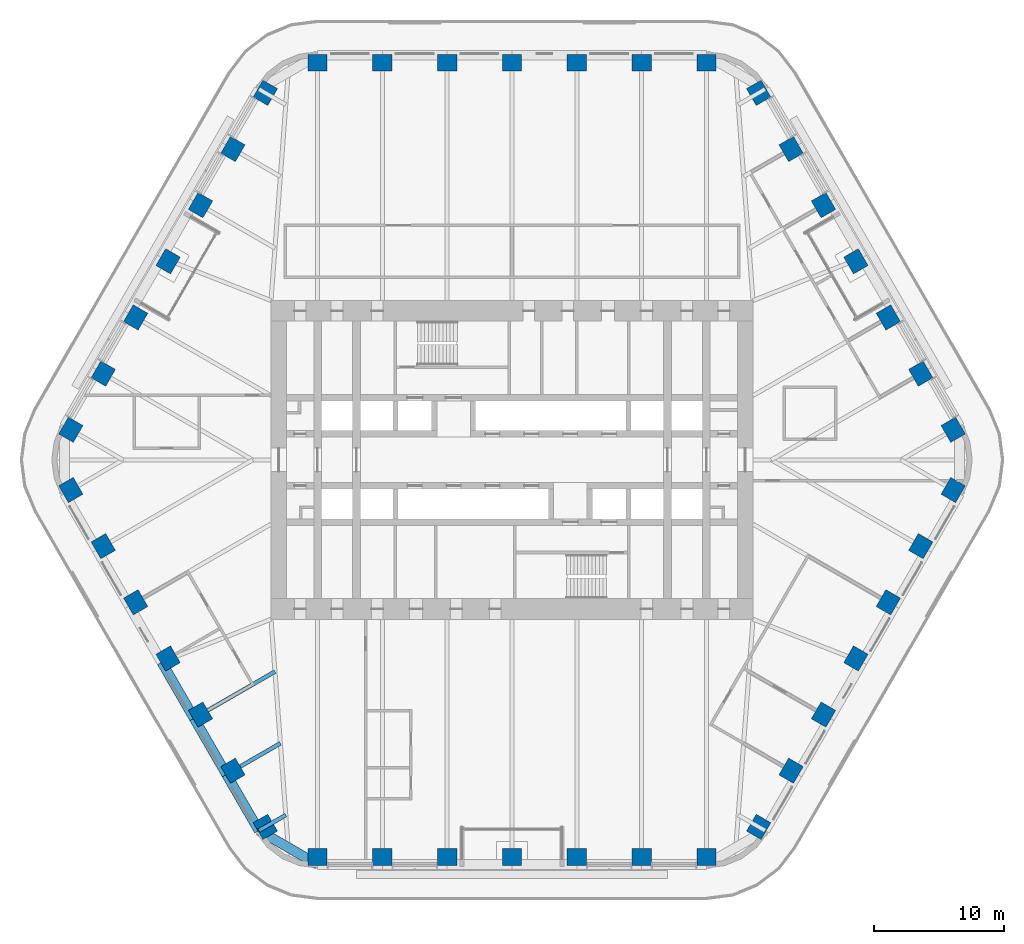
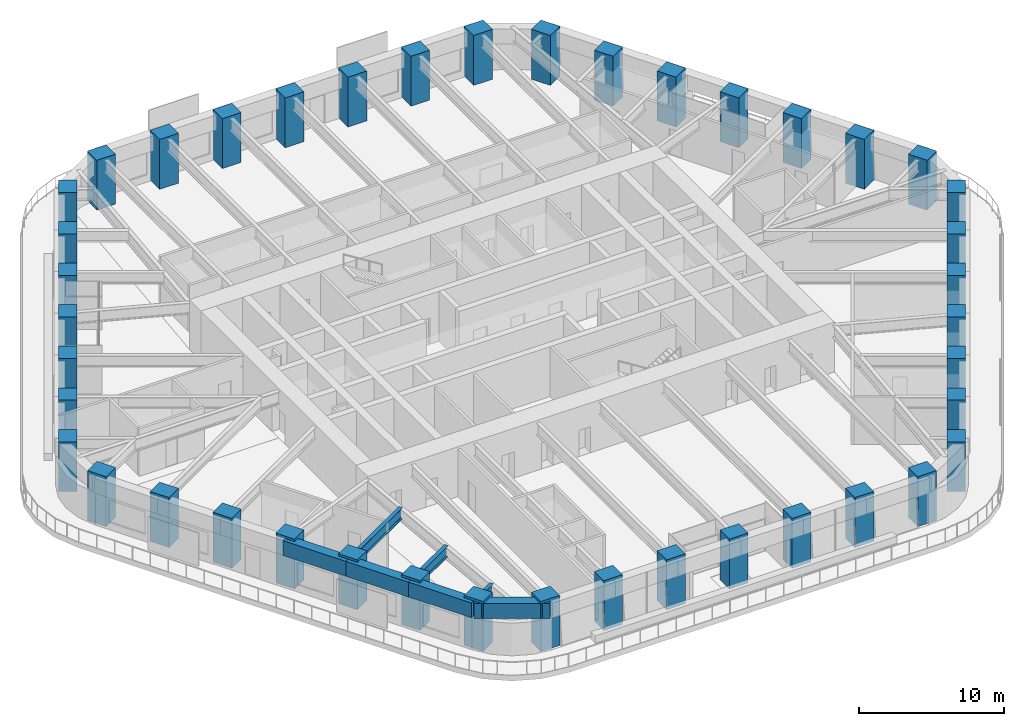
# One storey, part 1 of 24: 42 columns, 7 beams.
"""IFC4 building model written with IfcOpenShell, lengths in metres."""

from ifc_helpers import new_model, si_unit, direction, frame, origin, origin_2d, place, context, subcontext, project, spatial, rectangle, i_section, extrude, material, material_profile, profile_set, type_object, element, save


model = new_model("IFC4")

# Units and contexts
model_context = context("Model", 3, precision=1e-05, world=origin(), true_north=direction((0.0, 1.0)))
body_context = subcontext(model_context, "Body", "Model", "MODEL_VIEW")
ifc_project = project(units=[si_unit("LENGTHUNIT", "METRE"), si_unit("AREAUNIT", "SQUARE_METRE"), si_unit("VOLUMEUNIT", "CUBIC_METRE"), si_unit("PLANEANGLEUNIT", "RADIAN"), si_unit("MASSUNIT", "GRAM", prefix="KILO")], contexts=[model_context])

# Site, building, storey
site_placement = place(None, origin())
site = spatial("IfcSite", under=ifc_project, at=site_placement, CompositionType="ELEMENT")
building_placement = place(site_placement, origin())
building = spatial("IfcBuilding", under=site, at=building_placement, Name="Tarfa Lantern Tower", CompositionType="ELEMENT")
storey_placement = place(building_placement, frame((0.0, 0.0, 190.89990234375)))
storey = spatial("IfcBuildingStorey", under=building, at=storey_placement, Name="L43", CompositionType="ELEMENT", Elevation=190.89990234375)

# Columns
ifc_material_1 = material(Name="Concrete C80/95", Category="concrete")
ifc_material_profile_1 = material_profile(ifc_material_1, rectangle(XDim=1.5, YDim=1.300048828125, at=origin_2d()), Name="RC 1500x1300")
ifc_profile_set_1 = profile_set([ifc_material_profile_1], Name="Concrete C80/95")
column_type = type_object("IfcColumnType", Name="TC8 RC 1500x1300", PredefinedType="COLUMN", material=ifc_profile_set_1)
for number, where, z_axis, x_axis, name in (
    (1, (34.04931640625, 2.324951171875, 0.0), (0.0, 0.0, 1.0), (-0.5, 0.866025403784, 0.0), "Tube column NE0"),
    (2, (31.54736328125, 6.658447265625, 0.0), (0.0, 0.0, 1.0), (-0.5, 0.866025403784, 0.0), "Tube column NE1"),
    (3, (29.04541015625, 10.99169921875, 0.0), (0.0, 0.0, 1.0), (-0.5, 0.866025403784, 0.0), "Tube column NE2"),
    (4, (26.543701171875, 15.324951171875, 0.0), (0.0, 0.0, 1.0), (-0.5, 0.866025403784, 0.0), "Tube column NE3"),
    (5, (24.041748046875, 19.658447265625, 0.0), (0.0, 0.0, 1.0), (-0.5, 0.866025403784, 0.0), "Tube column NE4"),
    (6, (21.5400390625, 23.99169921875, 0.0), (0.0, 0.0, 1.0), (-0.5, 0.866025403784, 0.0), "Tube column NE5"),
    (7, (19.0380859375, 28.324951171875, 0.0), (0.0, 0.0, 1.0), (-0.5, 0.866025403784, 0.0), "Tube column NE6"),
    (8, (15.010986328125, 30.64990234375, 0.0), (0.0, 0.0, 1.0), (-1.0, 0.0, 0.0), "Tube column N0"),
    (9, (10.00732421875, 30.64990234375, 0.0), (0.0, 0.0, 1.0), (-1.0, 0.0, 0.0), "Tube column N1"),
    (10, (5.003662109375, 30.64990234375, 0.0), (0.0, 0.0, 1.0), (-1.0, 0.0, 0.0), "Tube column N2"),
    (11, (0.0, 30.64990234375, 0.0), (0.0, 0.0, 1.0), (-1.0, 0.0, 0.0), "Tube column N3"),
    (12, (-5.003662109375, 30.64990234375, 0.0), (0.0, 0.0, 1.0), (-1.0, 0.0, 0.0), "Tube column N4"),
    (13, (-10.00732421875, 30.64990234375, 0.0), (0.0, 0.0, 1.0), (-1.0, 0.0, 0.0), "Tube column N5"),
    (14, (-15.010986328125, 30.64990234375, 0.0), (0.0, 0.0, 1.0), (-1.0, 0.0, 0.0), "Tube column N6"),
    (15, (-19.0380859375, 28.324951171875, 0.0), (0.0, 0.0, 1.0), (-0.5, -0.866025403784, 0.0), "Tube column NW0"),
    (16, (-21.5400390625, 23.99169921875, 0.0), (0.0, 0.0, 1.0), (-0.5, -0.866025403784, 0.0), "Tube column NW1"),
    (17, (-24.041748046875, 19.658447265625, 0.0), (0.0, 0.0, 1.0), (-0.5, -0.866025403784, 0.0), "Tube column NW2"),
    (18, (-26.543701171875, 15.324951171875, 0.0), (0.0, 0.0, 1.0), (-0.5, -0.866025403784, 0.0), "Tube column NW3"),
    (19, (-29.04541015625, 10.99169921875, 0.0), (0.0, 0.0, 1.0), (-0.5, -0.866025403784, 0.0), "Tube column NW4"),
    (20, (-31.54736328125, 6.658447265625, 0.0), (0.0, 0.0, 1.0), (-0.5, -0.866025403784, 0.0), "Tube column NW5"),
    (21, (-34.04931640625, 2.324951171875, 0.0), (0.0, 0.0, 1.0), (-0.5, -0.866025403784, 0.0), "Tube column NW6"),
    (22, (-34.04931640625, -2.324951171875, 0.0), (0.0, 0.0, 1.0), (0.5, -0.866025403784, 0.0), "Tube column SW0"),
    (23, (-31.54736328125, -6.658447265625, 0.0), (0.0, 0.0, 1.0), (0.5, -0.866025403784, 0.0), "Tube column SW1"),
    (24, (-29.04541015625, -10.99169921875, 0.0), (0.0, 0.0, 1.0), (0.5, -0.866025403784, 0.0), "Tube column SW2"),
    (25, (-26.543701171875, -15.324951171875, 0.0), (0.0, 0.0, 1.0), (0.5, -0.866025403784, 0.0), "Tube column SW3"),
    (26, (-24.041748046875, -19.658447265625, 0.0), (0.0, 0.0, 1.0), (0.5, -0.866025403784, 0.0), "Tube column SW4"),
    (27, (-21.5400390625, -23.99169921875, 0.0), (0.0, 0.0, 1.0), (0.5, -0.866025403784, 0.0), "Tube column SW5"),
    (28, (-19.0380859375, -28.324951171875, 0.0), (0.0, 0.0, 1.0), (0.5, -0.866025403784, 0.0), "Tube column SW6"),
    (29, (-15.010986328125, -30.64990234375, 0.0), (0.0, 0.0, 1.0), (1.0, 0.0, 0.0), "Tube column S0"),
    (30, (-10.00732421875, -30.64990234375, 0.0), (0.0, 0.0, 1.0), (1.0, 0.0, 0.0), "Tube column S1"),
    (31, (-5.003662109375, -30.64990234375, 0.0), (0.0, 0.0, 1.0), (1.0, 0.0, 0.0), "Tube column S2"),
    (32, (0.0, -30.64990234375, 0.0), (0.0, 0.0, 1.0), (1.0, 0.0, 0.0), "Tube column S3"),
    (33, (5.003662109375, -30.64990234375, 0.0), (0.0, 0.0, 1.0), (1.0, 0.0, 0.0), "Tube column S4"),
    (34, (10.00732421875, -30.64990234375, 0.0), (0.0, 0.0, 1.0), (1.0, 0.0, 0.0), "Tube column S5"),
    (35, (15.010986328125, -30.64990234375, 0.0), (0.0, 0.0, 1.0), (1.0, 0.0, 0.0), "Tube column S6"),
    (36, (19.0380859375, -28.324951171875, 0.0), (0.0, 0.0, 1.0), (0.5, 0.866025403784, 0.0), "Tube column SE0"),
    (37, (21.5400390625, -23.99169921875, 0.0), (0.0, 0.0, 1.0), (0.5, 0.866025403784, 0.0), "Tube column SE1"),
    (38, (24.041748046875, -19.658447265625, 0.0), (0.0, 0.0, 1.0), (0.5, 0.866025403784, 0.0), "Tube column SE2"),
    (39, (26.543701171875, -15.324951171875, 0.0), (0.0, 0.0, 1.0), (0.5, 0.866025403784, 0.0), "Tube column SE3"),
    (40, (29.04541015625, -10.99169921875, 0.0), (0.0, 0.0, 1.0), (0.5, 0.866025403784, 0.0), "Tube column SE4"),
    (41, (31.54736328125, -6.658447265625, 0.0), (0.0, 0.0, 1.0), (0.5, 0.866025403784, 0.0), "Tube column SE5"),
    (42, (34.04931640625, -2.324951171875, 0.0), (0.0, 0.0, 1.0), (0.5, 0.866025403784, 0.0), "Tube column SE6"),
):
    element("IfcColumn", number, at=place(storey_placement, frame(where, z_axis=z_axis, x_axis=x_axis)), inside=storey, type_object=column_type, Name=name, PredefinedType="COLUMN", context=body_context, shape_type="SweptSolid", body=[
        extrude(rectangle(XDim=1.5, YDim=1.300048828125, at=origin_2d()), origin(), (0.0, 0.0, 1.0), 4.2001953125),
    ])

# Beams
ifc_material_profile_2 = material_profile(ifc_material_1, rectangle(XDim=0.75, YDim=1.25, at=origin_2d()), Name="RC 750x1250")
ifc_profile_set_2 = profile_set([ifc_material_profile_2], Name="Concrete C80/95")
beam_type_1 = type_object("IfcBeamType", Name="EB2 RC 750x1250", PredefinedType="SPANDREL", material=ifc_profile_set_2)
for number, where, z_axis, x_axis, name in (
    (43, (-27.037353515625, -15.610107421875, 3.375), (0.500022324899, -0.866012514114, 0.0), (0.866012514114, 0.500022324899, 0.0), "Edge beam SW3"),
    (44, (-24.535400390625, -19.943359375, 3.375), (0.49998573051, -0.866033642122, 0.0), (0.866033642122, 0.49998573051, 0.0), "Edge beam SW4"),
):
    element("IfcBeam", number, at=place(storey_placement, frame(where, z_axis=z_axis, x_axis=x_axis)), inside=storey, type_object=beam_type_1, Name=name, PredefinedType="SPANDREL", context=body_context, shape_type="SweptSolid", body=[
        extrude(rectangle(XDim=0.75, YDim=1.25, at=origin_2d()), origin(), (0.0, 0.0, 1.0), 5.003662109375),
    ])
beam_1_placement = place(storey_placement, frame((-22.03369140625, -24.276611328125, 3.375), z_axis=(0.500001197378, -0.866024712477, 0.0), x_axis=(0.866024712477, 0.500001197378, 0.0)))
element("IfcBeam", 45, at=beam_1_placement, inside=storey, type_object=beam_type_1, Name="Edge beam SW5", PredefinedType="SPANDREL", context=body_context, shape_type="SweptSolid", body=[
    extrude(rectangle(XDim=0.75, YDim=1.25, at=origin_2d()), origin(), (0.0, 0.0, 1.0), 5.00390625),
])
beam_2_placement = place(storey_placement, frame((-19.53173828125, -28.610107421875, 3.375), z_axis=(0.86604150238, -0.499972115377, 0.0), x_axis=(0.499972115377, 0.86604150238, 0.0)))
element("IfcBeam", 46, at=beam_2_placement, inside=storey, type_object=beam_type_1, Name="Edge beam SW6", PredefinedType="SPANDREL", context=body_context, shape_type="SweptSolid", body=[
    extrude(rectangle(XDim=0.75, YDim=1.25, at=origin_2d()), origin(), (0.0, 0.0, 1.0), 5.219970703125),
])
ifc_material_2 = material(Name="Steel S460M", Category="steel")
ifc_material_profile_3 = material_profile(ifc_material_2, i_section(OverallWidth=0.305419921875, OverallDepth=0.91845703125, WebThickness=0.017333984375, FlangeThickness=0.02783203125, FilletRadius=0.01904296875, at=origin_2d()), Name="UB914x305x253")
ifc_profile_set_3 = profile_set([ifc_material_profile_3], Name="Steel S460M")
beam_type_2 = type_object("IfcBeamType", Name="UB914x305x253", PredefinedType="BEAM", material=ifc_profile_set_3)
beam_3_placement = place(storey_placement, frame((-24.535400390625, -19.943359375, 3.541015625), z_axis=(0.86602647304, 0.499998147991, 0.0), x_axis=(-0.499998147991, 0.86602647304, 0.0)))
element("IfcBeam", 47, at=beam_3_placement, inside=storey, type_object=beam_type_2, Name="Floor beam SW4", PredefinedType="BEAM", context=body_context, shape_type="SweptSolid", body=[
    extrude(i_section(OverallWidth=0.305419921875, OverallDepth=0.91845703125, WebThickness=0.017333984375, FlangeThickness=0.02783203125, FilletRadius=0.01904296875, at=origin_2d()), origin(), (0.0, 0.0, 1.0), 7.20556640625),
])
beam_4_placement = place(storey_placement, frame((-22.03369140625, -24.276611328125, 3.541015625), z_axis=(0.866030550462, 0.499991085587, 0.0), x_axis=(-0.499991085587, 0.866030550462, 0.0)))
element("IfcBeam", 48, at=beam_4_placement, inside=storey, type_object=beam_type_2, Name="Floor beam SW5", PredefinedType="BEAM", context=body_context, shape_type="SweptSolid", body=[
    extrude(i_section(OverallWidth=0.305419921875, OverallDepth=0.91845703125, WebThickness=0.017333984375, FlangeThickness=0.02783203125, FilletRadius=0.01904296875, at=origin_2d()), origin(), (0.0, 0.0, 1.0), 4.798828125),
])
beam_5_placement = place(storey_placement, frame((-19.53173828125, -28.610107421875, 3.541015625), z_axis=(0.865998640954, 0.500046351717, 0.0), x_axis=(-0.500046351717, 0.865998640954, 0.0)))
element("IfcBeam", 49, at=beam_5_placement, inside=storey, type_object=beam_type_2, Name="Floor beam SW6", PredefinedType="BEAM", context=body_context, shape_type="SweptSolid", body=[
    extrude(i_section(OverallWidth=0.305419921875, OverallDepth=0.91845703125, WebThickness=0.017333984375, FlangeThickness=0.02783203125, FilletRadius=0.01904296875, at=origin_2d()), origin(), (0.0, 0.0, 1.0), 2.392333984375),
])

save(model, "model.ifc")
